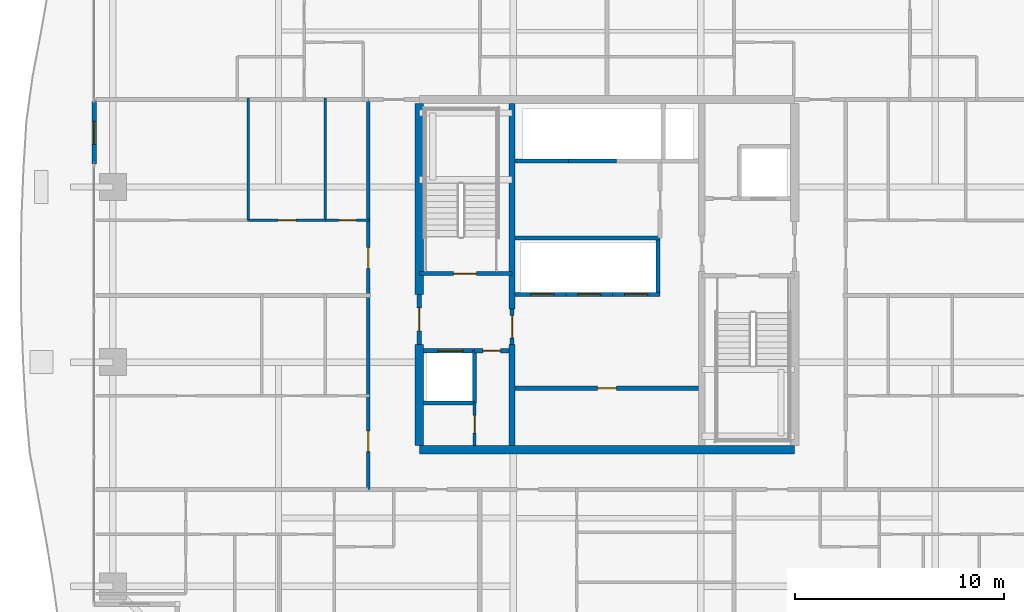
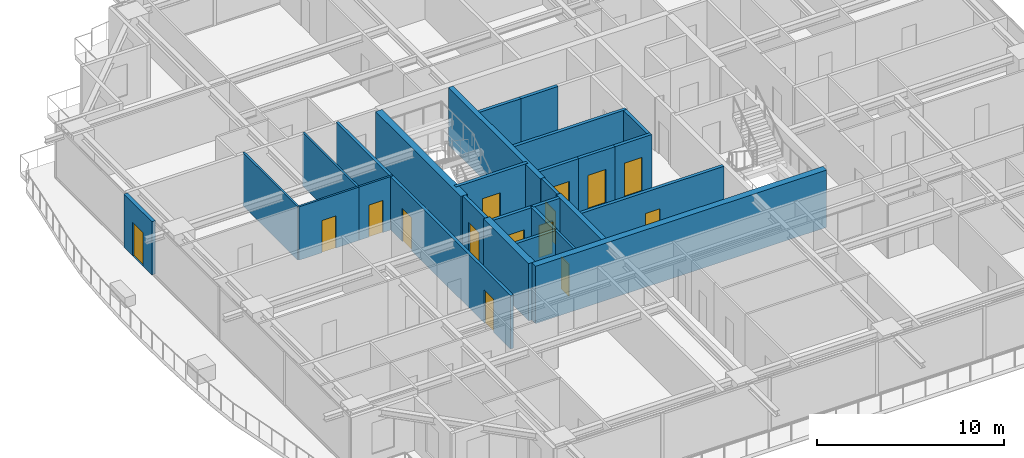
# One storey, part 27 of 37: 27 walls, 15 doors, 15 openings.
"""IFC4 building model written with IfcOpenShell, lengths in metres."""

from ifc_helpers import new_model, si_unit, direction, frame, frame_2d, origin, place, context, subcontext, project, spatial, rectangle, extrude, source, transform, mapped, material, layer, layer_set, type_object, element, fill, save


model = new_model("IFC4")

# Units and contexts
model_context = context("Model", 3, precision=1e-05, world=origin(), true_north=direction((0.0, 1.0)))
body_context = subcontext(model_context, "Body", "Model", "MODEL_VIEW")
ifc_project = project(units=[si_unit("LENGTHUNIT", "METRE"), si_unit("AREAUNIT", "SQUARE_METRE"), si_unit("VOLUMEUNIT", "CUBIC_METRE"), si_unit("PLANEANGLEUNIT", "RADIAN"), si_unit("MASSUNIT", "GRAM", prefix="KILO")], contexts=[model_context])

# Site, building, storey
site_placement = place(None, origin())
site = spatial("IfcSite", under=ifc_project, at=site_placement, CompositionType="ELEMENT")
building_placement = place(site_placement, origin())
building = spatial("IfcBuilding", under=site, at=building_placement, Name="Serunith Strait Residences", CompositionType="ELEMENT")
storey_placement = place(building_placement, frame((0.0, 0.0, 127.64990234375)))
storey = spatial("IfcBuildingStorey", under=building, at=storey_placement, Name="L31", CompositionType="ELEMENT", Elevation=127.64990234375)

# Wall, opening, door
ifc_material_1 = material(Name="Pale-Champagne Aluminium Insulated Panel", Category="aluminium")
ifc_layer_1 = layer(ifc_material_1, 0.219970703125, Name="Pale-Champagne Aluminium Insulated Panel")
ifc_layer_set_1 = layer_set([ifc_layer_1], Name="Pale-Champagne Aluminium Insulated Panel")
wall_type_1 = type_object("IfcWallType", Name="EW-ALUM-220", PredefinedType="ELEMENTEDWALL", material=ifc_layer_set_1)
wall_1_placement = place(storey_placement, frame((7.800048828125, 33.5, 0.0), z_axis=(0.0, 0.0, 1.0), x_axis=(0.0, -1.0, 0.0)))
wall_1 = element("IfcWall", 1, at=wall_1_placement, inside=storey, type_object=wall_type_1, Name="L31 W Facade Pier Wall", PredefinedType="ELEMENTEDWALL", context=body_context, shape_type="SweptSolid", body=[
    extrude(rectangle(XDim=3.0, YDim=0.219970703125, at=frame_2d((1.5, 0.0))), origin(), (0.0, 0.0, 1.0), 3.47509765625),
])
opening_1_placement = place(wall_1_placement, frame((0.949951171875, 0.0, 0.0)))
opening_1 = element("IfcOpeningElement", 2, at=opening_1_placement, cuts=wall_1, Name="Opening ED-03", PredefinedType="OPENING", context=body_context, shape_type="SweptSolid", body=[
    extrude(rectangle(XDim=1.10009765625, YDim=2.199951171875, at=frame_2d((0.550048828125, 1.10009765625))), frame((0.0, 0.1201171875, 0.0), z_axis=(0.0, -1.0, 0.0), x_axis=(1.0, 0.0, 0.0)), (0.0, 0.0, 1.0), 0.239990234375),
])
ifc_material_2 = material(Name="Thermally-Broken Aluminium Glazed Balcony Door", Category="aluminium")
door_type_1 = type_object("IfcDoorType", Name="ED-BALC-1100", OperationType="NOTDEFINED", PredefinedType="DOOR", material=ifc_material_2)
shared_shape_1 = source(origin(), body_context, "Body", "SweptSolid", [
    extrude(rectangle(XDim=1.10009765625, YDim=2.199951171875, at=frame_2d((0.550048828125, 1.10009765625))), frame((0.0, 0.02490234375, 0.0), z_axis=(0.0, -1.0, 0.0), x_axis=(1.0, 0.0, 0.0)), (0.0, 0.0, 1.0), 0.050048828125),
])
door_1_placement = place(opening_1_placement, origin())
door_1 = element("IfcDoor", 3, at=door_1_placement, inside=storey, type_object=door_type_1, Name="L31 W Vertical-Forest Balcony Door", OperationType="SINGLE_SWING_LEFT", OverallHeight=2.199951171875, OverallWidth=1.10009765625, PredefinedType="DOOR", context=body_context, shape_type="MappedRepresentation", body=[
    mapped(shared_shape_1, transform((0.0, 0.0, 0.0), scale=1.0)),
])
fill(opening_1, door_1)

ifc_material_3 = material(Name="Fire-rated masonry service closet wall", Category="masonry")
ifc_layer_2 = layer(ifc_material_3, 0.14990234375, Name="Fire-rated masonry service closet wall")
ifc_layer_set_2 = layer_set([ifc_layer_2], Name="Fire-rated masonry service closet wall")
wall_type_2 = type_object("IfcWallType", Name="IW-BOH-150", PredefinedType="PARTITIONING", material=ifc_layer_set_2)
wall_2_placement = place(storey_placement, frame((26.050048828125, 17.0, 0.0), z_axis=(0.0, 0.0, 1.0), x_axis=(0.0, 1.0, 0.0)))
wall_2 = element("IfcWall", 4, at=wall_2_placement, inside=storey, type_object=wall_type_2, Name="L31 Partition Wall 012", PredefinedType="PARTITIONING", context=body_context, shape_type="SweptSolid", body=[
    extrude(rectangle(XDim=2.048095703125, YDim=0.14990234375, at=frame_2d((1.02392578125, 0.0))), origin(), (0.0, 0.0, 1.0), 3.489990234375),
])
opening_2_placement = place(wall_2_placement, frame((0.59912109375, 0.0, 0.0)))
opening_2 = element("IfcOpeningElement", 5, at=opening_2_placement, cuts=wall_2, Name="Opening FD-850", PredefinedType="OPENING", context=body_context, shape_type="SweptSolid", body=[
    extrude(rectangle(XDim=0.85009765625, YDim=2.10009765625, at=frame_2d((0.425048828125, 1.050048828125))), frame((0.0, 0.0849609375, 0.0), z_axis=(0.0, -1.0, 0.0), x_axis=(1.0, 0.0, 0.0)), (0.0, 0.0, 1.0), 0.169921875),
])
ifc_material_4 = material(Name="Powder-coated steel service closet door", Category="steel")
door_type_2 = type_object("IfcDoorType", Name="FD-BOH-850", OperationType="NOTDEFINED", PredefinedType="DOOR", material=ifc_material_4)
shared_shape_2 = source(origin(), body_context, "Body", "SweptSolid", [
    extrude(rectangle(XDim=0.85009765625, YDim=2.10009765625, at=frame_2d((0.425048828125, 1.050048828125))), frame((0.0, 0.02490234375, 0.0), z_axis=(0.0, -1.0, 0.0), x_axis=(1.0, 0.0, 0.0)), (0.0, 0.0, 1.0), 0.050048828125),
])
door_2_placement = place(opening_2_placement, origin())
door_2 = element("IfcDoor", 6, at=door_2_placement, inside=storey, type_object=door_type_2, Name="L31 Cleaner Store Door", OperationType="SINGLE_SWING_LEFT", OverallHeight=2.10009765625, OverallWidth=0.85009765625, PredefinedType="DOOR", context=body_context, shape_type="MappedRepresentation", body=[
    mapped(shared_shape_2, transform((0.0, 0.0, 0.0), scale=1.0)),
])
fill(opening_2, door_2)

# Wall, openings, doors
ifc_material_5 = material(Name="Fire-rated acoustic gypsum partition")
ifc_layer_3 = layer(ifc_material_5, 0.179931640625, Name="Fire-rated acoustic gypsum partition")
ifc_layer_set_3 = layer_set([ifc_layer_3], Name="Fire-rated acoustic gypsum partition")
wall_type_3 = type_object("IfcWallType", Name="IW-CORR-180", PredefinedType="PARTITIONING", material=ifc_layer_set_3)
wall_3_placement = place(storey_placement, frame((20.949951171875, 14.89990234375, 0.0), z_axis=(0.0, 0.0, 1.0), x_axis=(0.0, 1.0, 0.0)))
wall_3 = element("IfcWall", 7, at=wall_3_placement, inside=storey, type_object=wall_type_3, Name="L31 Partition Wall 025", PredefinedType="PARTITIONING", context=body_context, shape_type="SweptSolid", body=[
    extrude(rectangle(XDim=18.7001953125, YDim=0.179931640625, at=frame_2d((9.35009765625, 0.0))), origin(), (0.0, 0.0, 1.0), 3.489990234375),
])
opening_3_placement = place(wall_3_placement, frame((1.804931640625, 0.0, 0.0)))
opening_3 = element("IfcOpeningElement", 8, at=opening_3_placement, cuts=wall_3, Name="Opening D-APT1000", PredefinedType="OPENING", context=body_context, shape_type="SweptSolid", body=[
    extrude(rectangle(XDim=1.0, YDim=2.14990234375, at=frame_2d((0.5, 1.074951171875))), frame((0.0, 0.10009765625, 0.0), z_axis=(0.0, -1.0, 0.0), x_axis=(1.0, 0.0, 0.0)), (0.0, 0.0, 1.0), 0.199951171875),
])
opening_4_placement = place(wall_3_placement, frame((10.60205078125, 0.0, 0.0)))
opening_4 = element("IfcOpeningElement", 9, at=opening_4_placement, cuts=wall_3, Name="Opening D-APT1000", PredefinedType="OPENING", context=body_context, shape_type="SweptSolid", body=[
    extrude(rectangle(XDim=1.0, YDim=2.14990234375, at=frame_2d((0.5, 1.074951171875))), frame((0.0, 0.10009765625, 0.0), z_axis=(0.0, -1.0, 0.0), x_axis=(1.0, 0.0, 0.0)), (0.0, 0.0, 1.0), 0.199951171875),
])
ifc_material_6 = material(Name="Solid timber engineered fire door", Category="wood")
door_type_3 = type_object("IfcDoorType", Name="ID-APT-1000", OperationType="NOTDEFINED", PredefinedType="DOOR", material=ifc_material_6)
shared_shape_3 = source(origin(), body_context, "Body", "SweptSolid", [
    extrude(rectangle(XDim=1.0, YDim=2.14990234375, at=frame_2d((0.5, 1.074951171875))), frame((0.0, 0.02490234375, 0.0), z_axis=(0.0, -1.0, 0.0), x_axis=(1.0, 0.0, 0.0)), (0.0, 0.0, 1.0), 0.050048828125),
])
door_3_placement = place(opening_3_placement, origin())
door_3 = element("IfcDoor", 10, at=door_3_placement, inside=storey, type_object=door_type_3, Name="L31 Unit 06 Entrance Door", OperationType="SINGLE_SWING_LEFT", OverallHeight=2.14990234375, OverallWidth=1.0, PredefinedType="DOOR", context=body_context, shape_type="MappedRepresentation", body=[
    mapped(shared_shape_3, transform((0.0, 0.0, 0.0), scale=1.0)),
])
fill(opening_3, door_3)
door_4_placement = place(opening_4_placement, origin())
door_4 = element("IfcDoor", 11, at=door_4_placement, inside=storey, type_object=door_type_3, Name="L31 Unit 07 Entrance Door", OperationType="SINGLE_SWING_RIGHT", OverallHeight=2.14990234375, OverallWidth=1.0, PredefinedType="DOOR", context=body_context, shape_type="MappedRepresentation", body=[
    mapped(shared_shape_3, transform((0.0, 0.0, 0.0), scale=1.0)),
])
fill(opening_4, door_4)

# Walls
ifc_material_7 = material(Name="Lightweight steel-stud gypsum partition", Category="steel")
ifc_layer_4 = layer(ifc_material_7, 0.1201171875, Name="Lightweight steel-stud gypsum partition")
ifc_layer_set_4 = layer_set([ifc_layer_4], Name="Lightweight steel-stud gypsum partition")
wall_type_4 = type_object("IfcWallType", Name="IW-PART-120", PredefinedType="PARTITIONING", material=ifc_layer_set_4)
for number, where, z_axis, x_axis, name in (
    (12, (15.197998046875, 27.800048828125, 0.0), (0.0, 0.0, 1.0), (0.0, 1.0, 0.0), "L31 Partition Wall 098"),
    (13, (18.89990234375, 27.800048828125, 0.0), (0.0, 0.0, 1.0), (0.0, 1.0, 0.0), "L31 Partition Wall 099"),
):
    element("IfcWall", number, at=place(storey_placement, frame(where, z_axis=z_axis, x_axis=x_axis)), inside=storey, type_object=wall_type_4, Name=name, PredefinedType="PARTITIONING", context=body_context, shape_type="SweptSolid", body=[
        extrude(rectangle(XDim=5.85986328125, YDim=0.1201171875, at=frame_2d((2.929931640625, 0.0))), origin(), (0.0, 0.0, 1.0), 3.489990234375),
    ])

# Wall, opening, door
wall_4_placement = place(storey_placement, frame((15.199951171875, 27.800048828125, 0.0), z_axis=(0.0, 0.0, 1.0), x_axis=(1.0, 0.0, 0.0)))
wall_4 = element("IfcWall", 14, at=wall_4_placement, inside=storey, type_object=wall_type_4, Name="L31 Partition Wall 100", PredefinedType="PARTITIONING", context=body_context, shape_type="SweptSolid", body=[
    extrude(rectangle(XDim=3.699951171875, YDim=0.1201171875, at=frame_2d((1.85009765625, 0.0))), origin(), (0.0, 0.0, 1.0), 3.489990234375),
])
opening_5_placement = place(wall_4_placement, frame((1.425048828125, 0.0, 0.0)))
opening_5 = element("IfcOpeningElement", 15, at=opening_5_placement, cuts=wall_4, Name="Opening D-RM850", PredefinedType="OPENING", context=body_context, shape_type="SweptSolid", body=[
    extrude(rectangle(XDim=0.85009765625, YDim=2.10009765625, at=frame_2d((0.425048828125, 1.050048828125))), frame((0.0, 0.070068359375, 0.0), z_axis=(0.0, -1.0, 0.0), x_axis=(1.0, 0.0, 0.0)), (0.0, 0.0, 1.0), 0.14013671875),
])
ifc_material_8 = material(Name="Engineered timber flush study and kitchen door", Category="wood")
door_type_4 = type_object("IfcDoorType", Name="ID-ROOM-850", OperationType="NOTDEFINED", PredefinedType="DOOR", material=ifc_material_8)
door_5_placement = place(opening_5_placement, origin())
door_5 = element("IfcDoor", 16, at=door_5_placement, inside=storey, type_object=door_type_4, Name="L31 Kitchen 3107 Door", OperationType="SINGLE_SWING_LEFT", OverallHeight=2.10009765625, OverallWidth=0.85009765625, PredefinedType="DOOR", context=body_context, shape_type="MappedRepresentation", body=[
    mapped(shared_shape_2, transform((0.0, 0.0, 0.0), scale=1.0)),
])
fill(opening_5, door_5)

wall_5_placement = place(storey_placement, frame((18.902099609375, 27.800048828125, 0.0), z_axis=(0.0, 0.0, 1.0), x_axis=(1.0, 0.0, 0.0)))
wall_5 = element("IfcWall", 17, at=wall_5_placement, inside=storey, type_object=wall_type_4, Name="L31 Partition Wall 101", PredefinedType="PARTITIONING", context=body_context, shape_type="SweptSolid", body=[
    extrude(rectangle(XDim=2.10791015625, YDim=0.1201171875, at=frame_2d((1.053955078125, 0.0))), origin(), (0.0, 0.0, 1.0), 3.489990234375),
])
opening_6_placement = place(wall_5_placement, frame((0.62890625, 0.0, 0.0)))
opening_6 = element("IfcOpeningElement", 18, at=opening_6_placement, cuts=wall_5, Name="Opening D-BTH850", PredefinedType="OPENING", context=body_context, shape_type="SweptSolid", body=[
    extrude(rectangle(XDim=0.85009765625, YDim=2.10009765625, at=frame_2d((0.425048828125, 1.050048828125))), frame((0.0, 0.070068359375, 0.0), z_axis=(0.0, -1.0, 0.0), x_axis=(1.0, 0.0, 0.0)), (0.0, 0.0, 1.0), 0.14013671875),
])
ifc_material_9 = material(Name="Moisture-resistant timber bathroom door", Category="wood")
door_type_5 = type_object("IfcDoorType", Name="ID-BATH-850", OperationType="NOTDEFINED", PredefinedType="DOOR", material=ifc_material_9)
door_6_placement = place(opening_6_placement, origin())
door_6 = element("IfcDoor", 19, at=door_6_placement, inside=storey, type_object=door_type_5, Name="L31 Bathroom 3107 Door", OperationType="SINGLE_SWING_RIGHT", OverallHeight=2.10009765625, OverallWidth=0.85009765625, PredefinedType="DOOR", context=body_context, shape_type="MappedRepresentation", body=[
    mapped(shared_shape_2, transform((0.0, 0.0, 0.0), scale=1.0)),
])
fill(opening_6, door_6)

ifc_material_10 = material(Name="Autoclaved aerated concrete blockwork", Category="masonry")
ifc_layer_5 = layer(ifc_material_10, 0.199951171875, Name="Autoclaved aerated concrete blockwork")
ifc_layer_set_5 = layer_set([ifc_layer_5], Name="Autoclaved aerated concrete blockwork")
wall_type_5 = type_object("IfcWallType", Name="IW-SHAFT-200", PredefinedType="STANDARD", material=ifc_layer_set_5)
wall_6_placement = place(storey_placement, frame((23.39990234375, 25.25, 0.0), z_axis=(0.0, 0.0, 1.0), x_axis=(1.0, 0.0, 0.0)))
wall_6 = element("IfcWall", 20, at=wall_6_placement, inside=storey, type_object=wall_type_5, Name="L31 ST-1 South Shaft Wall", PredefinedType="STANDARD", context=body_context, shape_type="SweptSolid", body=[
    extrude(rectangle(XDim=4.4501953125, YDim=0.199951171875, at=frame_2d((2.22509765625, 0.0))), origin(), (0.0, 0.0, 1.0), 3.489990234375),
])
opening_7_placement = place(wall_6_placement, frame((1.64990234375, 0.0, 0.0)))
opening_7 = element("IfcOpeningElement", 21, at=opening_7_placement, cuts=wall_6, Name="Opening FD-1100", PredefinedType="OPENING", context=body_context, shape_type="SweptSolid", body=[
    extrude(rectangle(XDim=1.10009765625, YDim=2.14990234375, at=frame_2d((0.550048828125, 1.074951171875))), frame((0.0, 0.10986328125, 0.0), z_axis=(0.0, -1.0, 0.0), x_axis=(1.0, 0.0, 0.0)), (0.0, 0.0, 1.0), 0.219970703125),
])
ifc_material_11 = material(Name="Galvanised steel fire door leaf", Category="steel")
door_type_6 = type_object("IfcDoorType", Name="FD-STAIR-1100", OperationType="NOTDEFINED", PredefinedType="DOOR", material=ifc_material_11)
shared_shape_4 = source(origin(), body_context, "Body", "SweptSolid", [
    extrude(rectangle(XDim=1.10009765625, YDim=2.14990234375, at=frame_2d((0.550048828125, 1.074951171875))), frame((0.0, 0.02490234375, 0.0), z_axis=(0.0, -1.0, 0.0), x_axis=(1.0, 0.0, 0.0)), (0.0, 0.0, 1.0), 0.050048828125),
])
door_7_placement = place(opening_7_placement, origin())
door_7 = element("IfcDoor", 22, at=door_7_placement, inside=storey, type_object=door_type_6, Name="L31 ST-1 Escape Stair Door", OperationType="SINGLE_SWING_LEFT", OverallHeight=2.14990234375, OverallWidth=1.10009765625, PredefinedType="DOOR", context=body_context, shape_type="MappedRepresentation", body=[
    mapped(shared_shape_4, transform((0.0, 0.0, 0.0), scale=1.0)),
])
fill(opening_7, door_7)

wall_7_placement = place(storey_placement, frame((23.60009765625, 21.550048828125, 0.0), z_axis=(0.0, 0.0, 1.0), x_axis=(1.0, 0.0, 0.0)))
wall_7 = element("IfcWall", 23, at=wall_7_placement, inside=storey, type_object=wall_type_5, Name="L31 FL-1 North Shaft Wall", PredefinedType="STANDARD", context=body_context, shape_type="SweptSolid", body=[
    extrude(rectangle(XDim=2.449951171875, YDim=0.199951171875, at=frame_2d((1.22509765625, 0.0))), origin(), (0.0, 0.0, 1.0), 3.489990234375),
])
opening_8_placement = place(wall_7_placement, frame((0.699951171875, 0.0, 0.0)))
opening_8 = element("IfcOpeningElement", 24, at=opening_8_placement, cuts=wall_7, Name="Opening LD-FF1200", PredefinedType="OPENING", context=body_context, shape_type="SweptSolid", body=[
    extrude(rectangle(XDim=1.199951171875, YDim=2.199951171875, at=frame_2d((0.60009765625, 1.10009765625))), frame((0.0, 0.10986328125, 0.0), z_axis=(0.0, -1.0, 0.0), x_axis=(1.0, 0.0, 0.0)), (0.0, 0.0, 1.0), 0.219970703125),
])
ifc_material_12 = material(Name="Brushed stainless steel landing door", Category="steel")
door_type_7 = type_object("IfcDoorType", Name="LD-FF-1200", OperationType="DOUBLE_DOOR_SLIDING", PredefinedType="DOOR", material=ifc_material_12)
shared_shape_5 = source(origin(), body_context, "Body", "SweptSolid", [
    extrude(rectangle(XDim=1.199951171875, YDim=2.199951171875, at=frame_2d((0.60009765625, 1.10009765625))), frame((0.0, 0.02490234375, 0.0), z_axis=(0.0, -1.0, 0.0), x_axis=(1.0, 0.0, 0.0)), (0.0, 0.0, 1.0), 0.050048828125),
])
door_8_placement = place(opening_8_placement, origin())
door_8 = element("IfcDoor", 25, at=door_8_placement, inside=storey, type_object=door_type_7, Name="L31 FL-1 Landing Door", OperationType="DOUBLE_DOOR_SLIDING", OverallHeight=2.199951171875, OverallWidth=1.199951171875, PredefinedType="DOOR", context=body_context, shape_type="MappedRepresentation", body=[
    mapped(shared_shape_5, transform((0.0, 0.0, 0.0), scale=1.0)),
])
fill(opening_8, door_8)

wall_8_placement = place(storey_placement, frame((28.0, 24.25, 0.0), z_axis=(0.0, 0.0, 1.0), x_axis=(1.0, 0.0, 0.0)))
wall_8 = element("IfcWall", 26, at=wall_8_placement, inside=storey, type_object=wall_type_5, Name="L31 PL-4 South Shaft Wall", PredefinedType="STANDARD", context=body_context, shape_type="SweptSolid", body=[
    extrude(rectangle(XDim=2.425048828125, YDim=0.199951171875, at=frame_2d((1.21240234375, 0.0))), origin(), (0.0, 0.0, 1.0), 3.489990234375),
])
opening_9_placement = place(wall_8_placement, frame((0.75, 0.0, 0.0)))
opening_9 = element("IfcOpeningElement", 27, at=opening_9_placement, cuts=wall_8, Name="Opening LD-1100", PredefinedType="OPENING", context=body_context, shape_type="SweptSolid", body=[
    extrude(rectangle(XDim=1.10009765625, YDim=2.199951171875, at=frame_2d((0.550048828125, 1.10009765625))), frame((0.0, 0.10986328125, 0.0), z_axis=(0.0, -1.0, 0.0), x_axis=(1.0, 0.0, 0.0)), (0.0, 0.0, 1.0), 0.219970703125),
])
ifc_material_13 = material(Name="Pale-champagne stainless landing door")
door_type_8 = type_object("IfcDoorType", Name="LD-LIFT-1100", OperationType="DOUBLE_DOOR_SLIDING", PredefinedType="DOOR", material=ifc_material_13)
door_9_placement = place(opening_9_placement, origin())
door_9 = element("IfcDoor", 28, at=door_9_placement, inside=storey, type_object=door_type_8, Name="L31 PL-4 Landing Door", OperationType="DOUBLE_DOOR_SLIDING", OverallHeight=2.199951171875, OverallWidth=1.10009765625, PredefinedType="DOOR", context=body_context, shape_type="MappedRepresentation", body=[
    mapped(shared_shape_1, transform((0.0, 0.0, 0.0), scale=1.0)),
])
fill(opening_9, door_9)

wall_9_placement = place(storey_placement, frame((30.425048828125, 24.25, 0.0), z_axis=(0.0, 0.0, 1.0), x_axis=(1.0, 0.0, 0.0)))
wall_9 = element("IfcWall", 29, at=wall_9_placement, inside=storey, type_object=wall_type_5, Name="L31 PL-5 South Shaft Wall", PredefinedType="STANDARD", context=body_context, shape_type="SweptSolid", body=[
    extrude(rectangle(XDim=2.25, YDim=0.199951171875, at=frame_2d((1.125, 0.0))), origin(), (0.0, 0.0, 1.0), 3.489990234375),
])
opening_10_placement = place(wall_9_placement, frame((0.574951171875, 0.0, 0.0)))
opening_10 = element("IfcOpeningElement", 30, at=opening_10_placement, cuts=wall_9, Name="Opening LD-1100", PredefinedType="OPENING", context=body_context, shape_type="SweptSolid", body=[
    extrude(rectangle(XDim=1.10009765625, YDim=2.199951171875, at=frame_2d((0.550048828125, 1.10009765625))), frame((0.0, 0.10986328125, 0.0), z_axis=(0.0, -1.0, 0.0), x_axis=(1.0, 0.0, 0.0)), (0.0, 0.0, 1.0), 0.219970703125),
])
door_10_placement = place(opening_10_placement, origin())
door_10 = element("IfcDoor", 31, at=door_10_placement, inside=storey, type_object=door_type_8, Name="L31 PL-5 Landing Door", OperationType="DOUBLE_DOOR_SLIDING", OverallHeight=2.199951171875, OverallWidth=1.10009765625, PredefinedType="DOOR", context=body_context, shape_type="MappedRepresentation", body=[
    mapped(shared_shape_1, transform((0.0, 0.0, 0.0), scale=1.0)),
])
fill(opening_10, door_10)

wall_10_placement = place(storey_placement, frame((32.675048828125, 24.25, 0.0), z_axis=(0.0, 0.0, 1.0), x_axis=(1.0, 0.0, 0.0)))
wall_10 = element("IfcWall", 32, at=wall_10_placement, inside=storey, type_object=wall_type_5, Name="L31 PL-6 South Shaft Wall", PredefinedType="STANDARD", context=body_context, shape_type="SweptSolid", body=[
    extrude(rectangle(XDim=2.27490234375, YDim=0.199951171875, at=frame_2d((1.137451171875, 0.0))), origin(), (0.0, 0.0, 1.0), 3.489990234375),
])
opening_11_placement = place(wall_10_placement, frame((0.574951171875, 0.0, 0.0)))
opening_11 = element("IfcOpeningElement", 33, at=opening_11_placement, cuts=wall_10, Name="Opening LD-1100", PredefinedType="OPENING", context=body_context, shape_type="SweptSolid", body=[
    extrude(rectangle(XDim=1.10009765625, YDim=2.199951171875, at=frame_2d((0.550048828125, 1.10009765625))), frame((0.0, 0.10986328125, 0.0), z_axis=(0.0, -1.0, 0.0), x_axis=(1.0, 0.0, 0.0)), (0.0, 0.0, 1.0), 0.219970703125),
])
door_11_placement = place(opening_11_placement, origin())
door_11 = element("IfcDoor", 34, at=door_11_placement, inside=storey, type_object=door_type_8, Name="L31 PL-6 Landing Door", OperationType="DOUBLE_DOOR_SLIDING", OverallHeight=2.199951171875, OverallWidth=1.10009765625, PredefinedType="DOOR", context=body_context, shape_type="MappedRepresentation", body=[
    mapped(shared_shape_1, transform((0.0, 0.0, 0.0), scale=1.0)),
])
fill(opening_11, door_11)

# Walls
wall_11_placement = place(storey_placement, frame((34.85009765625, 24.35009765625, 0.0), z_axis=(0.0, 0.0, 1.0), x_axis=(0.0, 1.0, 0.0)))
element("IfcWall", 35, at=wall_11_placement, inside=storey, type_object=wall_type_5, Name="L31 PL-6 East Shaft Wall", PredefinedType="STANDARD", context=body_context, shape_type="SweptSolid", body=[
    extrude(rectangle(XDim=2.5, YDim=0.199951171875, at=frame_2d((1.25, 0.0))), origin(), (0.0, 0.0, 1.0), 3.489990234375),
])
wall_12_placement = place(storey_placement, frame((28.0, 30.64990234375, 0.0), z_axis=(0.0, 0.0, 1.0), x_axis=(1.0, 0.0, 0.0)))
element("IfcWall", 36, at=wall_12_placement, inside=storey, type_object=wall_type_5, Name="L31 PL-7 South Shaft Wall", PredefinedType="STANDARD", context=body_context, shape_type="SweptSolid", body=[
    extrude(rectangle(XDim=2.550048828125, YDim=0.199951171875, at=frame_2d((1.27490234375, 0.0))), origin(), (0.0, 0.0, 1.0), 3.489990234375),
])
wall_13_placement = place(storey_placement, frame((30.550048828125, 30.64990234375, 0.0), z_axis=(0.0, 0.0, 1.0), x_axis=(1.0, 0.0, 0.0)))
element("IfcWall", 37, at=wall_13_placement, inside=storey, type_object=wall_type_5, Name="L31 PL-8 South Shaft Wall", PredefinedType="STANDARD", context=body_context, shape_type="SweptSolid", body=[
    extrude(rectangle(XDim=2.300048828125, YDim=0.199951171875, at=frame_2d((1.14990234375, 0.0))), origin(), (0.0, 0.0, 1.0), 3.489990234375),
])
wall_14_placement = place(storey_placement, frame((26.050048828125, 19.050048828125, 0.0), z_axis=(0.0, 0.0, 1.0), x_axis=(0.0, 1.0, 0.0)))
element("IfcWall", 38, at=wall_14_placement, inside=storey, type_object=wall_type_5, Name="L31 Partition Wall 001", PredefinedType="STANDARD", context=body_context, shape_type="SweptSolid", body=[
    extrude(rectangle(XDim=2.5, YDim=0.199951171875, at=frame_2d((1.25, 0.0))), origin(), (0.0, 0.0, 1.0), 3.489990234375),
])
wall_15_placement = place(storey_placement, frame((23.60009765625, 19.050048828125, 0.0), z_axis=(0.0, 0.0, 1.0), x_axis=(1.0, 0.0, 0.0)))
element("IfcWall", 39, at=wall_15_placement, inside=storey, type_object=wall_type_5, Name="L31 Partition Wall 002", PredefinedType="STANDARD", context=body_context, shape_type="SweptSolid", body=[
    extrude(rectangle(XDim=2.449951171875, YDim=0.199951171875, at=frame_2d((1.22509765625, 0.0))), origin(), (0.0, 0.0, 1.0), 3.489990234375),
])

# Wall, opening, door
wall_16_placement = place(storey_placement, frame((26.052001953125, 21.550048828125, 0.0), z_axis=(0.0, 0.0, 1.0), x_axis=(1.0, 0.0, 0.0)))
wall_16 = element("IfcWall", 40, at=wall_16_placement, inside=storey, type_object=wall_type_5, Name="L31 Partition Wall 003", PredefinedType="STANDARD", context=body_context, shape_type="SweptSolid", body=[
    extrude(rectangle(XDim=1.64794921875, YDim=0.199951171875, at=frame_2d((0.823974609375, 0.0))), origin(), (0.0, 0.0, 1.0), 3.489990234375),
])
opening_12_placement = place(wall_16_placement, frame((0.39892578125, 0.0, 0.0)))
opening_12 = element("IfcOpeningElement", 41, at=opening_12_placement, cuts=wall_16, Name="Opening FD-850", PredefinedType="OPENING", context=body_context, shape_type="SweptSolid", body=[
    extrude(rectangle(XDim=0.85009765625, YDim=2.10009765625, at=frame_2d((0.425048828125, 1.050048828125))), frame((0.0, 0.10986328125, 0.0), z_axis=(0.0, -1.0, 0.0), x_axis=(1.0, 0.0, 0.0)), (0.0, 0.0, 1.0), 0.219970703125),
])
door_12_placement = place(opening_12_placement, origin())
door_12 = element("IfcDoor", 42, at=door_12_placement, inside=storey, type_object=door_type_2, Name="L31 South-West Core Service Door", OperationType="SINGLE_SWING_LEFT", OverallHeight=2.10009765625, OverallWidth=0.85009765625, PredefinedType="DOOR", context=body_context, shape_type="MappedRepresentation", body=[
    mapped(shared_shape_2, transform((0.0, 0.0, 0.0), scale=1.0)),
])
fill(opening_12, door_12)

wall_17_placement = place(storey_placement, frame((23.39990234375, 21.85205078125, 0.0), z_axis=(0.0, 0.0, 1.0), x_axis=(0.0, 1.0, 0.0)))
wall_17 = element("IfcWall", 43, at=wall_17_placement, inside=storey, type_object=wall_type_5, Name="L31 Partition Wall 007", PredefinedType="STANDARD", context=body_context, shape_type="SweptSolid", body=[
    extrude(rectangle(XDim=2.39599609375, YDim=0.199951171875, at=frame_2d((1.197998046875, 0.0))), origin(), (0.0, 0.0, 1.0), 3.489990234375),
])
opening_13_placement = place(wall_17_placement, frame((0.64794921875, 0.0, 0.0)))
opening_13 = element("IfcOpeningElement", 44, at=opening_13_placement, cuts=wall_17, Name="Opening FD-FFL", PredefinedType="OPENING", context=body_context, shape_type="SweptSolid", body=[
    extrude(rectangle(XDim=1.10009765625, YDim=2.14990234375, at=frame_2d((0.550048828125, 1.074951171875))), frame((0.0, 0.10986328125, 0.0), z_axis=(0.0, -1.0, 0.0), x_axis=(1.0, 0.0, 0.0)), (0.0, 0.0, 1.0), 0.219970703125),
])
ifc_material_14 = material(Name="Glazed steel smoke-lobby fire door", Category="steel")
door_type_9 = type_object("IfcDoorType", Name="FD-FFL-1100", OperationType="NOTDEFINED", PredefinedType="DOOR", material=ifc_material_14)
door_13_placement = place(opening_13_placement, origin())
door_13 = element("IfcDoor", 45, at=door_13_placement, inside=storey, type_object=door_type_9, Name="L31 FFL-1 Corridor Fire Door", OperationType="SINGLE_SWING_LEFT", OverallHeight=2.14990234375, OverallWidth=1.10009765625, PredefinedType="DOOR", context=body_context, shape_type="MappedRepresentation", body=[
    mapped(shared_shape_4, transform((0.0, 0.0, 0.0), scale=1.0)),
])
fill(opening_13, door_13)

wall_18_placement = place(storey_placement, frame((27.85009765625, 21.85205078125, 0.0), z_axis=(0.0, 0.0, 1.0), x_axis=(0.0, 1.0, 0.0)))
wall_18 = element("IfcWall", 46, at=wall_18_placement, inside=storey, type_object=wall_type_5, Name="L31 Partition Wall 009", PredefinedType="STANDARD", context=body_context, shape_type="SweptSolid", body=[
    extrude(rectangle(XDim=1.696044921875, YDim=0.199951171875, at=frame_2d((0.84814453125, 0.0))), origin(), (0.0, 0.0, 1.0), 3.489990234375),
])
opening_14_placement = place(wall_18_placement, frame((0.298095703125, 0.0, 0.0)))
opening_14 = element("IfcOpeningElement", 47, at=opening_14_placement, cuts=wall_18, Name="Opening FD-FFL", PredefinedType="OPENING", context=body_context, shape_type="SweptSolid", body=[
    extrude(rectangle(XDim=1.10009765625, YDim=2.14990234375, at=frame_2d((0.550048828125, 1.074951171875))), frame((0.0, 0.10986328125, 0.0), z_axis=(0.0, -1.0, 0.0), x_axis=(1.0, 0.0, 0.0)), (0.0, 0.0, 1.0), 0.219970703125),
])
door_14_placement = place(opening_14_placement, origin())
door_14 = element("IfcDoor", 48, at=door_14_placement, inside=storey, type_object=door_type_9, Name="L31 FFL-1 Lift Lobby Door", OperationType="SINGLE_SWING_LEFT", OverallHeight=2.14990234375, OverallWidth=1.10009765625, PredefinedType="DOOR", context=body_context, shape_type="MappedRepresentation", body=[
    mapped(shared_shape_4, transform((0.0, 0.0, 0.0), scale=1.0)),
])
fill(opening_14, door_14)

# Wall
wall_19_placement = place(storey_placement, frame((28.0, 26.949951171875, 0.0), z_axis=(0.0, 0.0, 1.0), x_axis=(1.0, 0.0, 0.0)))
element("IfcWall", 49, at=wall_19_placement, inside=storey, type_object=wall_type_5, Name="L31 Partition Wall 011", PredefinedType="STANDARD", context=body_context, shape_type="SweptSolid", body=[
    extrude(rectangle(XDim=6.949951171875, YDim=0.199951171875, at=frame_2d((3.47509765625, 0.0))), origin(), (0.0, 0.0, 1.0), 3.489990234375),
])

# Wall, opening, door
wall_20_placement = place(storey_placement, frame((28.0, 19.75, 0.0), z_axis=(0.0, 0.0, 1.0), x_axis=(1.0, 0.0, 0.0)))
wall_20 = element("IfcWall", 50, at=wall_20_placement, inside=storey, type_object=wall_type_5, Name="L31 Partition Wall 014", PredefinedType="STANDARD", context=body_context, shape_type="SweptSolid", body=[
    extrude(rectangle(XDim=8.800048828125, YDim=0.199951171875, at=frame_2d((4.39990234375, 0.0))), origin(), (0.0, 0.0, 1.0), 3.489990234375),
])
opening_15_placement = place(wall_20_placement, frame((3.949951171875, 0.0, 0.0)))
opening_15 = element("IfcOpeningElement", 51, at=opening_15_placement, cuts=wall_20, Name="Opening FD-900", PredefinedType="OPENING", context=body_context, shape_type="SweptSolid", body=[
    extrude(rectangle(XDim=0.89990234375, YDim=2.10009765625, at=frame_2d((0.449951171875, 1.050048828125))), frame((0.0, 0.10986328125, 0.0), z_axis=(0.0, -1.0, 0.0), x_axis=(1.0, 0.0, 0.0)), (0.0, 0.0, 1.0), 0.219970703125),
])
ifc_material_15 = material(Name="Powder-coated steel riser door", Category="steel")
door_type_10 = type_object("IfcDoorType", Name="FD-BOH-900", OperationType="NOTDEFINED", PredefinedType="DOOR", material=ifc_material_15)
shared_shape_6 = source(origin(), body_context, "Body", "SweptSolid", [
    extrude(rectangle(XDim=0.89990234375, YDim=2.10009765625, at=frame_2d((0.449951171875, 1.050048828125))), frame((0.0, 0.02490234375, 0.0), z_axis=(0.0, -1.0, 0.0), x_axis=(1.0, 0.0, 0.0)), (0.0, 0.0, 1.0), 0.050048828125),
])
door_15_placement = place(opening_15_placement, origin())
door_15 = element("IfcDoor", 52, at=door_15_placement, inside=storey, type_object=door_type_10, Name="L31 Reclaimed BMS Plant Door", OperationType="SINGLE_SWING_LEFT", OverallHeight=2.10009765625, OverallWidth=0.89990234375, PredefinedType="DOOR", context=body_context, shape_type="MappedRepresentation", body=[
    mapped(shared_shape_6, transform((0.0, 0.0, 0.0), scale=1.0)),
])
fill(opening_15, door_15)

# Walls
ifc_material_16 = material(Name="Concrete C70/85", Category="concrete")
ifc_layer_6 = layer(ifc_material_16, 0.300048828125, Name="Concrete C70/85")
ifc_layer_set_6 = layer_set([ifc_layer_6], Name="Concrete C70/85")
wall_type_6 = type_object("IfcWallType", Name="SW-300-C70", PredefinedType="SHEAR", material=ifc_layer_set_6)
wall_21_placement = place(storey_placement, frame((27.85009765625, 17.0, -0.260009765625), z_axis=(0.0, 0.0, 1.0), x_axis=(0.0, 1.0, 0.0)))
element("IfcWall", 53, at=wall_21_placement, inside=storey, type_object=wall_type_6, Name="L31 Core Internal West Web South Pier", PredefinedType="SHEAR", context=body_context, shape_type="SweptSolid", body=[
    extrude(rectangle(XDim=4.85009765625, YDim=0.300048828125, at=frame_2d((2.425048828125, 0.0))), origin(), (0.0, 0.0, 1.0), 3.748046875),
])
wall_22_placement = place(storey_placement, frame((27.85009765625, 23.550048828125, -0.260009765625), z_axis=(0.0, 0.0, 1.0), x_axis=(0.0, 1.0, 0.0)))
element("IfcWall", 54, at=wall_22_placement, inside=storey, type_object=wall_type_6, Name="L31 Core Internal West Web North Pier", PredefinedType="SHEAR", context=body_context, shape_type="SweptSolid", body=[
    extrude(rectangle(XDim=9.849853515625, YDim=0.300048828125, at=frame_2d((4.9248046875, 0.0))), origin(), (0.0, 0.0, 1.0), 3.748046875),
])
ifc_layer_7 = layer(ifc_material_16, 0.39990234375, Name="Concrete C70/85")
ifc_layer_set_7 = layer_set([ifc_layer_7], Name="Concrete C70/85")
wall_type_7 = type_object("IfcWallType", Name="SW-400-C70", PredefinedType="SHEAR", material=ifc_layer_set_7)
wall_23_placement = place(storey_placement, frame((23.39990234375, 16.800048828125, -0.260009765625), z_axis=(0.0, 0.0, 1.0), x_axis=(1.0, 0.0, 0.0)))
element("IfcWall", 55, at=wall_23_placement, inside=storey, type_object=wall_type_7, Name="L31 Core South Shear Wall", PredefinedType="SHEAR", context=body_context, shape_type="SweptSolid", body=[
    extrude(rectangle(XDim=18.0, YDim=0.39990234375, at=frame_2d((9.0, 0.0))), origin(), (0.0, 0.0, 1.0), 3.748046875),
])
wall_24_placement = place(storey_placement, frame((23.39990234375, 17.0, -0.260009765625), z_axis=(0.0, 0.0, 1.0), x_axis=(0.0, 1.0, 0.0)))
element("IfcWall", 56, at=wall_24_placement, inside=storey, type_object=wall_type_7, Name="L31 Core West Shear Wall South Pier", PredefinedType="SHEAR", context=body_context, shape_type="SweptSolid", body=[
    extrude(rectangle(XDim=4.85009765625, YDim=0.39990234375, at=frame_2d((2.425048828125, 0.0))), origin(), (0.0, 0.0, 1.0), 3.748046875),
])
wall_25_placement = place(storey_placement, frame((23.39990234375, 24.25, -0.260009765625), z_axis=(0.0, 0.0, 1.0), x_axis=(0.0, 1.0, 0.0)))
element("IfcWall", 57, at=wall_25_placement, inside=storey, type_object=wall_type_7, Name="L31 Core West Shear Wall North Pier", PredefinedType="SHEAR", context=body_context, shape_type="SweptSolid", body=[
    extrude(rectangle(XDim=9.14990234375, YDim=0.39990234375, at=frame_2d((4.574951171875, 0.0))), origin(), (0.0, 0.0, 1.0), 3.748046875),
])

save(model, "model.ifc")
